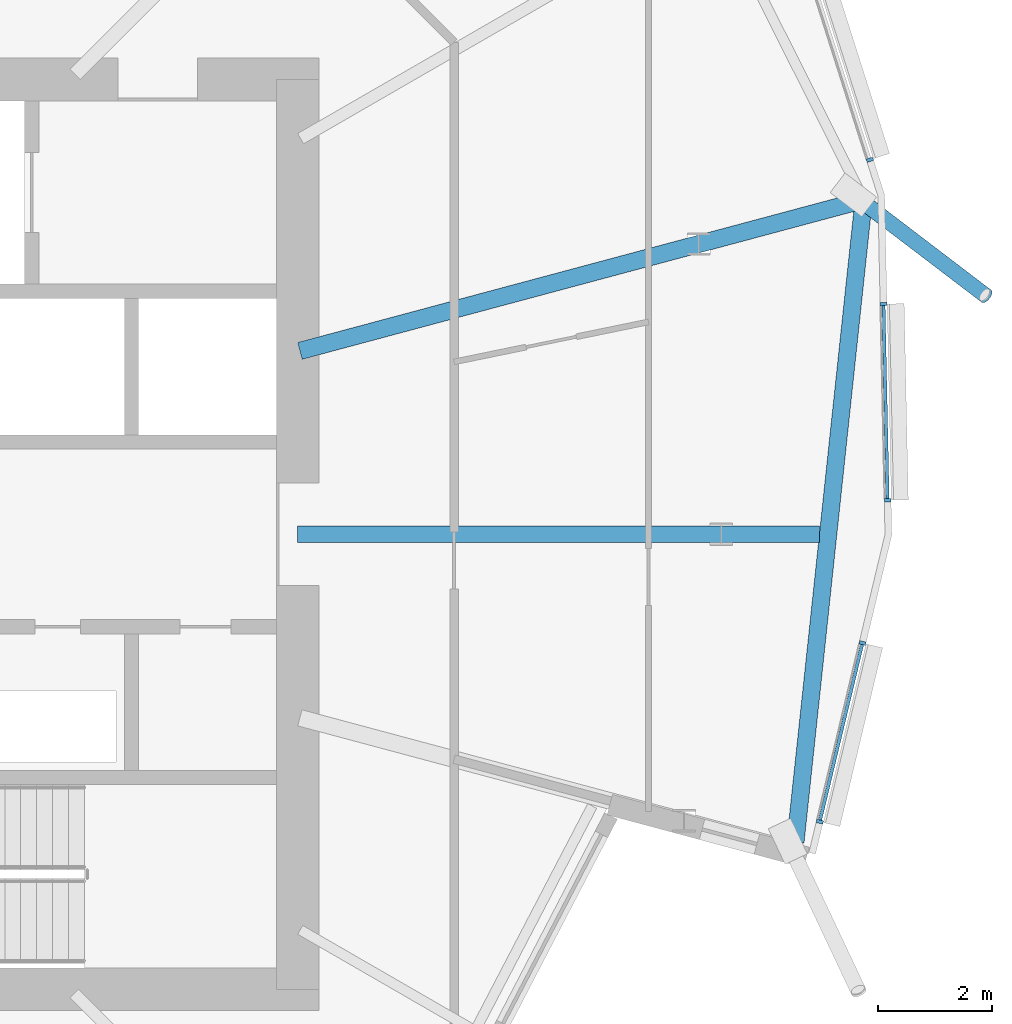
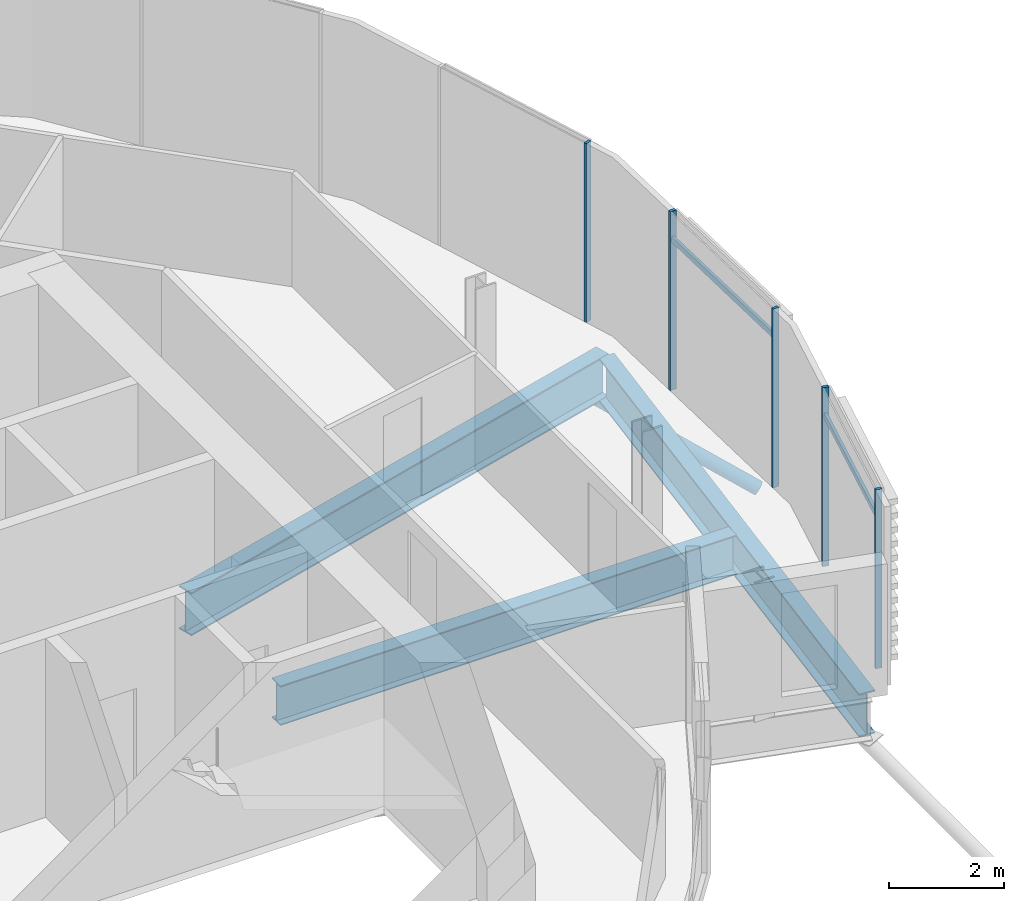
# One storey, part 16 of 42: 8 members, 3 beams, 1 element without a shape of its own.
"""IFC4 building model written with IfcOpenShell, lengths in metres."""

from ifc_helpers import new_model, si_unit, direction, frame, origin, origin_2d, place, context, subcontext, project, spatial, rectangle, hollow_circle, i_section, extrude, clip, halfspace, material, material_profile, profile_set, type_object, element, aggregate, save


model = new_model("IFC4")

# Units and contexts
model_context = context("Model", 3, precision=1e-05, world=origin(), true_north=direction((0.0, 1.0)))
body_context = subcontext(model_context, "Body", "Model", "MODEL_VIEW")
ifc_project = project(units=[si_unit("LENGTHUNIT", "METRE"), si_unit("AREAUNIT", "SQUARE_METRE"), si_unit("VOLUMEUNIT", "CUBIC_METRE"), si_unit("PLANEANGLEUNIT", "RADIAN"), si_unit("MASSUNIT", "GRAM", prefix="KILO")], contexts=[model_context])

# Site, building, storey
site_placement = place(None, origin())
site = spatial("IfcSite", under=ifc_project, at=site_placement, CompositionType="ELEMENT")
building_placement = place(site_placement, origin())
building = spatial("IfcBuilding", under=site, at=building_placement, Name="Rimbun Link Towers", CompositionType="ELEMENT")
storey_placement = place(building_placement, frame((0.0, 0.0, 85.39990234375)))
storey = spatial("IfcBuildingStorey", under=building, at=storey_placement, Name="L20", CompositionType="ELEMENT", Elevation=85.39990234375)

# Curtain wall, members
ifc_material_1 = material(Name="Aluminium 6063-T6 and low-iron glass", Category="aluminium")
curtain_wall_type = type_object("IfcCurtainWallType", Name="CW1-Z2 unitised vision wall (zone 2)", PredefinedType="NOTDEFINED", material=ifc_material_1)
curtain_wall_placement = place(storey_placement, origin())
curtain_wall = element("IfcCurtainWall", 1, at=curtain_wall_placement, inside=storey, type_object=curtain_wall_type, Name="CW1 L20 T2", PredefinedType="NOTDEFINED")
ifc_material_2 = material(Name="Aluminium 6063-T6", Category="aluminium")
ifc_material_profile_1 = material_profile(ifc_material_2, rectangle(XDim=0.1201171875, YDim=0.06005859375, at=origin_2d()), Name="MULLION 60X120")
ifc_profile_set_1 = profile_set([ifc_material_profile_1], Name="Aluminium 6063-T6")
member_type_1 = type_object("IfcMemberType", Name="CW1 mullion 60X120", PredefinedType="MULLION", material=ifc_profile_set_1)
member_1_placement = place(storey_placement, frame((53.68310546875, -1.910400390625, 0.0), z_axis=(0.0, 0.0, 1.0), x_axis=(0.972576339867, -0.232583884072, 0.0)))
member_1 = element("IfcMember", 2, at=member_1_placement, type_object=member_type_1, Name="CW1 mullion", PredefinedType="MULLION", context=body_context, shape_type="SweptSolid", body=[
    extrude(rectangle(XDim=0.1201171875, YDim=0.06005859375, at=origin_2d()), origin(), (0.0, 0.0, 1.0), 3.800048828125),
])
member_2_placement = place(storey_placement, frame((52.931640625, -5.052978515625, 0.0), z_axis=(0.0, 0.0, 1.0), x_axis=(0.972576339867, -0.232583884072, 0.0)))
member_2 = element("IfcMember", 3, at=member_2_placement, type_object=member_type_1, Name="CW1 mullion", PredefinedType="MULLION", context=body_context, shape_type="SweptSolid", body=[
    extrude(rectangle(XDim=0.1201171875, YDim=0.06005859375, at=origin_2d()), origin(), (0.0, 0.0, 1.0), 3.800048828125),
])
member_3_placement = place(storey_placement, frame((54.052978515625, 4.051025390625, 0.0), z_axis=(0.0, 0.0, 1.0), x_axis=(0.999778284552, 0.02105663171, 0.0)))
member_3 = element("IfcMember", 4, at=member_3_placement, type_object=member_type_1, Name="CW1 mullion", PredefinedType="MULLION", context=body_context, shape_type="SweptSolid", body=[
    extrude(rectangle(XDim=0.1201171875, YDim=0.06005859375, at=origin_2d()), origin(), (0.0, 0.0, 1.0), 3.800048828125),
])
member_4_placement = place(storey_placement, frame((54.125732421875, 0.60107421875, 0.0), z_axis=(0.0, 0.0, 1.0), x_axis=(0.999778284552, 0.02105663171, 0.0)))
member_4 = element("IfcMember", 5, at=member_4_placement, type_object=member_type_1, Name="CW1 mullion", PredefinedType="MULLION", context=body_context, shape_type="SweptSolid", body=[
    extrude(rectangle(XDim=0.1201171875, YDim=0.06005859375, at=origin_2d()), origin(), (0.0, 0.0, 1.0), 3.800048828125),
])
member_5_placement = place(storey_placement, frame((53.813232421875, 6.5869140625, 0.0), z_axis=(0.0, 0.0, 1.0), x_axis=(0.952968251743, 0.303070142328, 0.0)))
member_5 = element("IfcMember", 6, at=member_5_placement, type_object=member_type_1, Name="CW1 mullion", PredefinedType="MULLION", context=body_context, shape_type="SweptSolid", body=[
    extrude(rectangle(XDim=0.1201171875, YDim=0.06005859375, at=origin_2d()), origin(), (0.0, 0.0, 1.0), 3.800048828125),
])
ifc_material_3 = material(Name="Aluminium 6063-T6", Category="aluminium")
ifc_material_profile_2 = material_profile(ifc_material_3, rectangle(XDim=0.06005859375, YDim=0.1201171875, at=origin_2d()), Name="TRANSOM 60X120")
ifc_profile_set_2 = profile_set([ifc_material_profile_2], Name="Aluminium 6063-T6")
member_type_2 = type_object("IfcMemberType", Name="CW1 transom 60X120", PredefinedType="USERDEFINED", material=ifc_profile_set_2)
member_6_placement = place(storey_placement, frame((53.674072265625, -1.939208984375, 3.2001953125), z_axis=(-0.232577962534, -0.972577755937, 0.0), x_axis=(0.972577755937, -0.232577962534, 0.0)))
member_6 = element("IfcMember", 7, at=member_6_placement, type_object=member_type_2, Name="CW1 transom", ObjectType="TRANSOM", PredefinedType="USERDEFINED", context=body_context, shape_type="SweptSolid", body=[
    extrude(rectangle(XDim=0.06005859375, YDim=0.1201171875, at=origin_2d()), origin(), (0.0, 0.0, 1.0), 3.171142578125),
])
member_7_placement = place(storey_placement, frame((54.051513671875, 4.02099609375, 3.2001953125), z_axis=(0.021097211863, -0.999777429057, 0.0), x_axis=(0.999777429057, 0.021097211863, 0.0)))
member_7 = element("IfcMember", 8, at=member_7_placement, type_object=member_type_2, Name="CW1 transom", ObjectType="TRANSOM", PredefinedType="USERDEFINED", context=body_context, shape_type="SweptSolid", body=[
    extrude(rectangle(XDim=0.06005859375, YDim=0.1201171875, at=origin_2d()), origin(), (0.0, 0.0, 1.0), 3.390625),
])
aggregate(curtain_wall, [member_1, member_2, member_3, member_4, member_5, member_6, member_7])

# Member
ifc_material_4 = material(Name="Steel S355J2H", Category="steel")
ifc_material_profile_3 = material_profile(ifc_material_4, hollow_circle(Radius=0.136474609375, WallThickness=0.012451171875, at=origin_2d()), Name="CHS 273x12.5")
ifc_profile_set_3 = profile_set([ifc_material_profile_3], Name="Steel S355J2H")
member_type_3 = type_object("IfcMemberType", Name="Floor edge link CHS 273x12.5", PredefinedType="BRACE", material=ifc_profile_set_3)
member_8_placement = place(storey_placement, frame((53.656005859375, 5.86962890625, -1.196044921875), z_axis=(0.686013452555, -0.522774625028, -0.50605556448), x_axis=(0.60611488982, 0.795377105742, 0.0)))
element("IfcMember", 9, at=member_8_placement, inside=storey, type_object=member_type_3, Name="Floor edge link T2 L20 22", PredefinedType="BRACE", context=body_context, shape_type="Clipping", body=[
    clip(extrude(hollow_circle(Radius=0.136474609375, WallThickness=0.012451171875, at=origin_2d()), frame((0.0, 0.0, -0.485107421875)), (0.0, 0.0, 1.0), 3.69775390625), halfspace(frame((0.0, 0.0, -0.228759765625), z_axis=(0.0, 0.862500878642, -0.50605556448)), False)),
])

# Beams
ifc_material_5 = material(Name="Steel S355J2", Category="steel")
ifc_material_profile_4 = material_profile(ifc_material_5, i_section(OverallWidth=0.29248046875, OverallDepth=0.8408203125, WebThickness=0.0126953125, FlangeThickness=0.021728515625, at=origin_2d()), Name="UB 838x292x194")
ifc_profile_set_4 = profile_set([ifc_material_profile_4], Name="Steel S355J2")
beam_type_1 = type_object("IfcBeamType", Name="UB 838x292x194", PredefinedType="BEAM", material=ifc_profile_set_4)
beam_1_placement = place(storey_placement, frame((43.7509765625, 0.0, -0.580322265625), z_axis=(1.0, 0.0, 0.0), x_axis=(0.0, 1.0, 0.0)))
element("IfcBeam", 10, at=beam_1_placement, inside=storey, type_object=beam_type_1, Name="Radial beam T2 L20 21", PredefinedType="BEAM", context=body_context, shape_type="SweptSolid", body=[
    extrude(i_section(OverallWidth=0.29248046875, OverallDepth=0.8408203125, WebThickness=0.0126953125, FlangeThickness=0.021728515625, at=origin_2d()), origin(), (0.0, 0.0, 1.0), 9.1728515625),
])
ifc_material_6 = material(Name="Steel S355J2", Category="steel")
ifc_material_profile_5 = material_profile(ifc_material_6, i_section(OverallWidth=0.305419921875, OverallDepth=0.91845703125, WebThickness=0.017333984375, FlangeThickness=0.02783203125, at=origin_2d()), Name="UB 914x305x253")
ifc_profile_set_5 = profile_set([ifc_material_profile_5], Name="Steel S355J2")
beam_type_2 = type_object("IfcBeamType", Name="UB 914x305x253", PredefinedType="BEAM", material=ifc_profile_set_5)
beam_2_placement = place(storey_placement, frame((43.79052734375, 3.226318359375, -0.619140625), z_axis=(0.965929470742, 0.258805443438, 0.0), x_axis=(-0.258805443438, 0.965929470742, 0.0)))
element("IfcBeam", 11, at=beam_2_placement, inside=storey, type_object=beam_type_2, Name="Radial beam T2 L20 22", PredefinedType="BEAM", context=body_context, shape_type="SweptSolid", body=[
    extrude(i_section(OverallWidth=0.305419921875, OverallDepth=0.91845703125, WebThickness=0.017333984375, FlangeThickness=0.02783203125, at=origin_2d()), origin(), (0.0, 0.0, 1.0), 10.263427734375),
])
beam_3_placement = place(storey_placement, frame((52.5029296875, -5.408203125, -0.619140625), z_axis=(0.105815890312, 0.994385738714, 0.0), x_axis=(-0.994385738714, 0.105815890312, 0.0)))
element("IfcBeam", 12, at=beam_3_placement, inside=storey, type_object=beam_type_2, Name="Edge beam T2 L20 20-22", PredefinedType="BEAM", context=body_context, shape_type="SweptSolid", body=[
    extrude(i_section(OverallWidth=0.305419921875, OverallDepth=0.91845703125, WebThickness=0.017333984375, FlangeThickness=0.02783203125, at=origin_2d()), origin(), (0.0, 0.0, 1.0), 11.18994140625),
])

save(model, "model.ifc")
